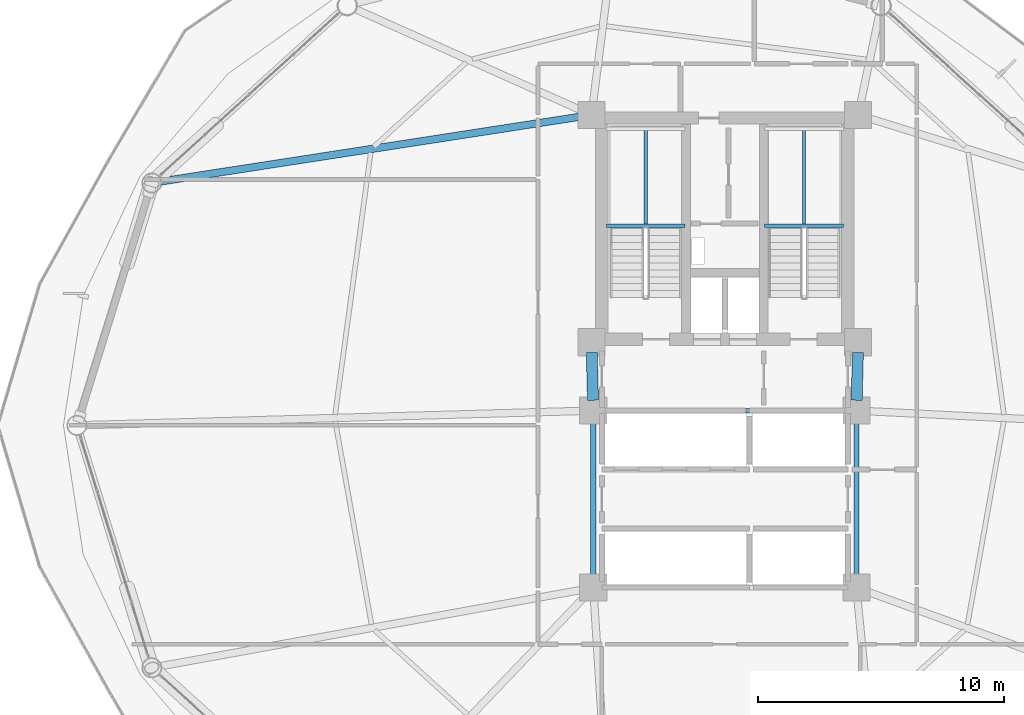
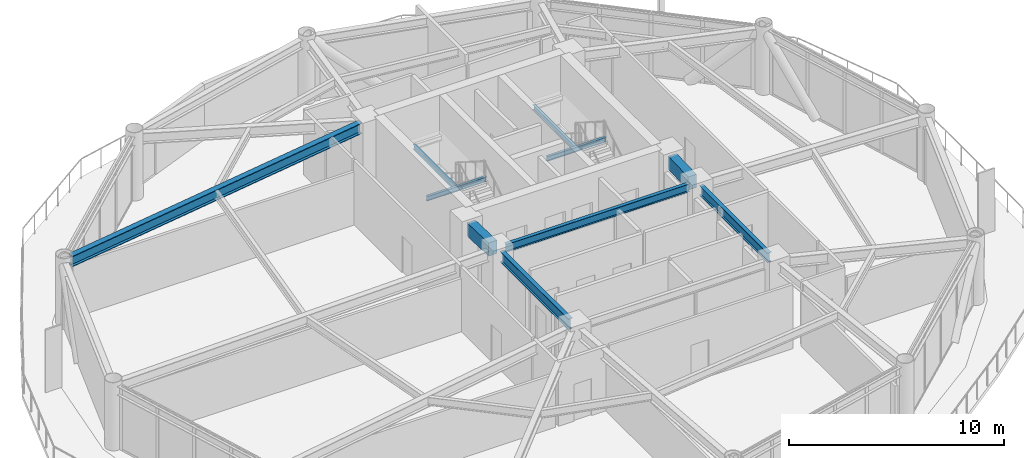
# One storey, part 10 of 23: 10 beams.
"""IFC4 building model written with IfcOpenShell, lengths in metres."""

from ifc_helpers import new_model, si_unit, direction, frame, origin, origin_2d, place, context, subcontext, project, spatial, rectangle, i_section, extrude, material, material_profile, profile_set, type_object, element, save


model = new_model("IFC4")

# Units and contexts
model_context = context("Model", 3, precision=1e-05, world=origin(), true_north=direction((0.0, 1.0)))
body_context = subcontext(model_context, "Body", "Model", "MODEL_VIEW")
ifc_project = project(units=[si_unit("LENGTHUNIT", "METRE"), si_unit("AREAUNIT", "SQUARE_METRE"), si_unit("VOLUMEUNIT", "CUBIC_METRE"), si_unit("PLANEANGLEUNIT", "RADIAN"), si_unit("MASSUNIT", "GRAM", prefix="KILO")], contexts=[model_context])

# Site, building, storey
site_placement = place(None, origin())
site = spatial("IfcSite", under=ifc_project, at=site_placement, CompositionType="ELEMENT")
building_placement = place(site_placement, origin())
building = spatial("IfcBuilding", under=site, at=building_placement, Name="Varnakorn Sky Granary", CompositionType="ELEMENT")
storey_placement = place(building_placement, frame((0.0, 0.0, 83.699951171875)))
storey = spatial("IfcBuildingStorey", under=building, at=storey_placement, Name="L20", CompositionType="ELEMENT", Elevation=83.699951171875)

# Beams
ifc_material_1 = material(Name="Steel S355JR", Category="steel")
ifc_material_profile_1 = material_profile(ifc_material_1, i_section(OverallWidth=0.2099609375, OverallDepth=0.550048828125, WebThickness=0.010986328125, FlangeThickness=0.01708984375, at=origin_2d()), Name="IPE 550")
ifc_profile_set_1 = profile_set([ifc_material_profile_1], Name="Steel S355JR")
beam_type_1 = type_object("IfcBeamType", Name="BM-JST-550", PredefinedType="JOIST", material=ifc_profile_set_1)
beam_1_placement = place(storey_placement, frame((8.35009765625, 0.179931640625, 3.364990234375), z_axis=(0.0, -1.0, 0.0), x_axis=(1.0, 0.0, 0.0)))
element("IfcBeam", 1, at=beam_1_placement, inside=storey, type_object=beam_type_1, Name="Core Spine Framing Beam 4 L20", PredefinedType="JOIST", context=body_context, shape_type="SweptSolid", body=[
    extrude(i_section(OverallWidth=0.2099609375, OverallDepth=0.550048828125, WebThickness=0.010986328125, FlangeThickness=0.01708984375, at=origin_2d()), origin(), (0.0, 0.0, 1.0), 6.35986328125),
])
ifc_material_profile_2 = material_profile(ifc_material_1, i_section(OverallWidth=0.219970703125, OverallDepth=0.60009765625, WebThickness=0.011962890625, FlangeThickness=0.01904296875, at=origin_2d()), Name="IPE 600")
ifc_profile_set_2 = profile_set([ifc_material_profile_2], Name="Steel S355JR")
beam_type_2 = type_object("IfcBeamType", Name="BM-JST-600", PredefinedType="JOIST", material=ifc_profile_set_2)
beam_2_placement = place(storey_placement, frame((-2.35009765625, 0.179931640625, 3.340087890625), z_axis=(0.0, -1.0, 0.0), x_axis=(1.0, 0.0, 0.0)))
element("IfcBeam", 2, at=beam_2_placement, inside=storey, type_object=beam_type_2, Name="Core Spine Framing Beam 3 L20", PredefinedType="JOIST", context=body_context, shape_type="SweptSolid", body=[
    extrude(i_section(OverallWidth=0.219970703125, OverallDepth=0.60009765625, WebThickness=0.011962890625, FlangeThickness=0.01904296875, at=origin_2d()), origin(), (0.0, 0.0, 1.0), 6.35986328125),
])
ifc_material_2 = material(Name="Concrete C60/75", Category="concrete")
ifc_material_profile_3 = material_profile(ifc_material_2, rectangle(XDim=0.449951171875, YDim=0.75, at=origin_2d()), Name="RC 450x750")
ifc_profile_set_3 = profile_set([ifc_material_profile_3], Name="Concrete C60/75")
beam_type_3 = type_object("IfcBeamType", Name="BM-LIN-750", PredefinedType="LINTEL", material=ifc_profile_set_3)
for number, where, z_axis, x_axis, name in (
    (3, (-2.409423828125, 2.960205078125, 3.26513671875), (0.025158763514, -0.999683468213, 0.0), (0.999683468213, 0.025158763514, 0.0), "Core Spine Framing Beam 1 L20"),
    (4, (8.409423828125, 2.960205078125, 3.26513671875), (-0.025158763514, -0.999683468213, 0.0), (0.999683468213, -0.025158763514, 0.0), "Core Spine Framing Beam 2 L20"),
):
    element("IfcBeam", number, at=place(storey_placement, frame(where, z_axis=z_axis, x_axis=x_axis)), inside=storey, type_object=beam_type_3, Name=name, PredefinedType="LINTEL", context=body_context, shape_type="SweptSolid", body=[
        extrude(rectangle(XDim=0.449951171875, YDim=0.75, at=origin_2d()), origin(), (0.0, 0.0, 1.0), 1.94091796875),
    ])
ifc_material_profile_4 = material_profile(ifc_material_1, i_section(OverallWidth=0.135009765625, OverallDepth=0.27001953125, WebThickness=0.006591796875, FlangeThickness=0.01025390625, at=origin_2d()), Name="IPE 270")
ifc_profile_set_4 = profile_set([ifc_material_profile_4], Name="Steel S355JR")
beam_type_4 = type_object("IfcBeamType", Name="BM-LND-270", PredefinedType="BEAM", material=ifc_profile_set_4)
beam_3_placement = place(storey_placement, frame((-1.820068359375, 8.1201171875, 1.614990234375), z_axis=(1.0, 0.0, 0.0), x_axis=(0.0, 1.0, 0.0)))
element("IfcBeam", 5, at=beam_3_placement, inside=storey, type_object=beam_type_4, Name="Stair ST-1 Landing Trimmer Beam A L20-1", PredefinedType="BEAM", context=body_context, shape_type="SweptSolid", body=[
    extrude(i_section(OverallWidth=0.135009765625, OverallDepth=0.27001953125, WebThickness=0.006591796875, FlangeThickness=0.01025390625, at=origin_2d()), origin(), (0.0, 0.0, 1.0), 3.199951171875),
])
beam_4_placement = place(storey_placement, frame((-0.219970703125, 8.1201171875, 1.614990234375), z_axis=(0.0, 1.0, 0.0), x_axis=(-1.0, 0.0, 0.0)))
element("IfcBeam", 6, at=beam_4_placement, inside=storey, type_object=beam_type_4, Name="Stair ST-1 Landing Cross Beam C L20-1", PredefinedType="BEAM", context=body_context, shape_type="SweptSolid", body=[
    extrude(i_section(OverallWidth=0.135009765625, OverallDepth=0.27001953125, WebThickness=0.006591796875, FlangeThickness=0.01025390625, at=origin_2d()), origin(), (0.0, 0.0, 1.0), 3.93994140625),
])
beam_5_placement = place(storey_placement, frame((4.6201171875, 8.1201171875, 1.614990234375), z_axis=(1.0, 0.0, 0.0), x_axis=(0.0, 1.0, 0.0)))
element("IfcBeam", 7, at=beam_5_placement, inside=storey, type_object=beam_type_4, Name="Stair ST-2 Landing Trimmer Beam A L20-1", PredefinedType="BEAM", context=body_context, shape_type="SweptSolid", body=[
    extrude(i_section(OverallWidth=0.135009765625, OverallDepth=0.27001953125, WebThickness=0.006591796875, FlangeThickness=0.01025390625, at=origin_2d()), origin(), (0.0, 0.0, 1.0), 3.199951171875),
])
beam_6_placement = place(storey_placement, frame((6.219970703125, 8.1201171875, 1.614990234375), z_axis=(0.0, 1.0, 0.0), x_axis=(-1.0, 0.0, 0.0)))
element("IfcBeam", 8, at=beam_6_placement, inside=storey, type_object=beam_type_4, Name="Stair ST-2 Landing Cross Beam C L20-1", PredefinedType="BEAM", context=body_context, shape_type="SweptSolid", body=[
    extrude(i_section(OverallWidth=0.135009765625, OverallDepth=0.27001953125, WebThickness=0.006591796875, FlangeThickness=0.01025390625, at=origin_2d()), origin(), (0.0, 0.0, 1.0), 3.93994140625),
])
ifc_material_profile_5 = material_profile(ifc_material_1, i_section(OverallWidth=0.300048828125, OverallDepth=0.60009765625, WebThickness=0.015380859375, FlangeThickness=0.030029296875, at=origin_2d()), Name="HE 600 B")
ifc_profile_set_5 = profile_set([ifc_material_profile_5], Name="Steel S355JR")
beam_type_5 = type_object("IfcBeamType", Name="BM-RAD-Z2", PredefinedType="BEAM", material=ifc_profile_set_5)
beam_7_placement = place(storey_placement, frame((-2.835205078125, 12.555908203125, 3.340087890625), z_axis=(-0.988280738964, -0.152647243644, 0.0), x_axis=(0.152647243644, -0.988280738964, 0.0)))
element("IfcBeam", 9, at=beam_7_placement, inside=storey, type_object=beam_type_5, Name="Radial Floor Girder RG06 L20", PredefinedType="BEAM", context=body_context, shape_type="SweptSolid", body=[
    extrude(i_section(OverallWidth=0.300048828125, OverallDepth=0.60009765625, WebThickness=0.015380859375, FlangeThickness=0.030029296875, at=origin_2d()), origin(), (0.0, 0.0, 1.0), 17.2861328125),
])
ifc_material_profile_6 = material_profile(ifc_material_1, i_section(OverallWidth=0.18994140625, OverallDepth=0.449951171875, WebThickness=0.009521484375, FlangeThickness=0.0146484375, at=origin_2d()), Name="IPE 450")
ifc_profile_set_6 = profile_set([ifc_material_profile_6], Name="Steel S355JR")
beam_type_6 = type_object("IfcBeamType", Name="BM-SEC-Z2", PredefinedType="BEAM", material=ifc_profile_set_6)
beam_8_placement = place(storey_placement, frame((-1.929931640625, 0.60009765625, 3.4150390625), z_axis=(1.0, 0.0, 0.0), x_axis=(0.0, 1.0, 0.0)))
element("IfcBeam", 10, at=beam_8_placement, inside=storey, type_object=beam_type_6, Name="Core Spine Framing Beam 5 L20", PredefinedType="BEAM", context=body_context, shape_type="SweptSolid", body=[
    extrude(i_section(OverallWidth=0.18994140625, OverallDepth=0.449951171875, WebThickness=0.009521484375, FlangeThickness=0.0146484375, at=origin_2d()), origin(), (0.0, 0.0, 1.0), 9.85986328125),
])

save(model, "model.ifc")
